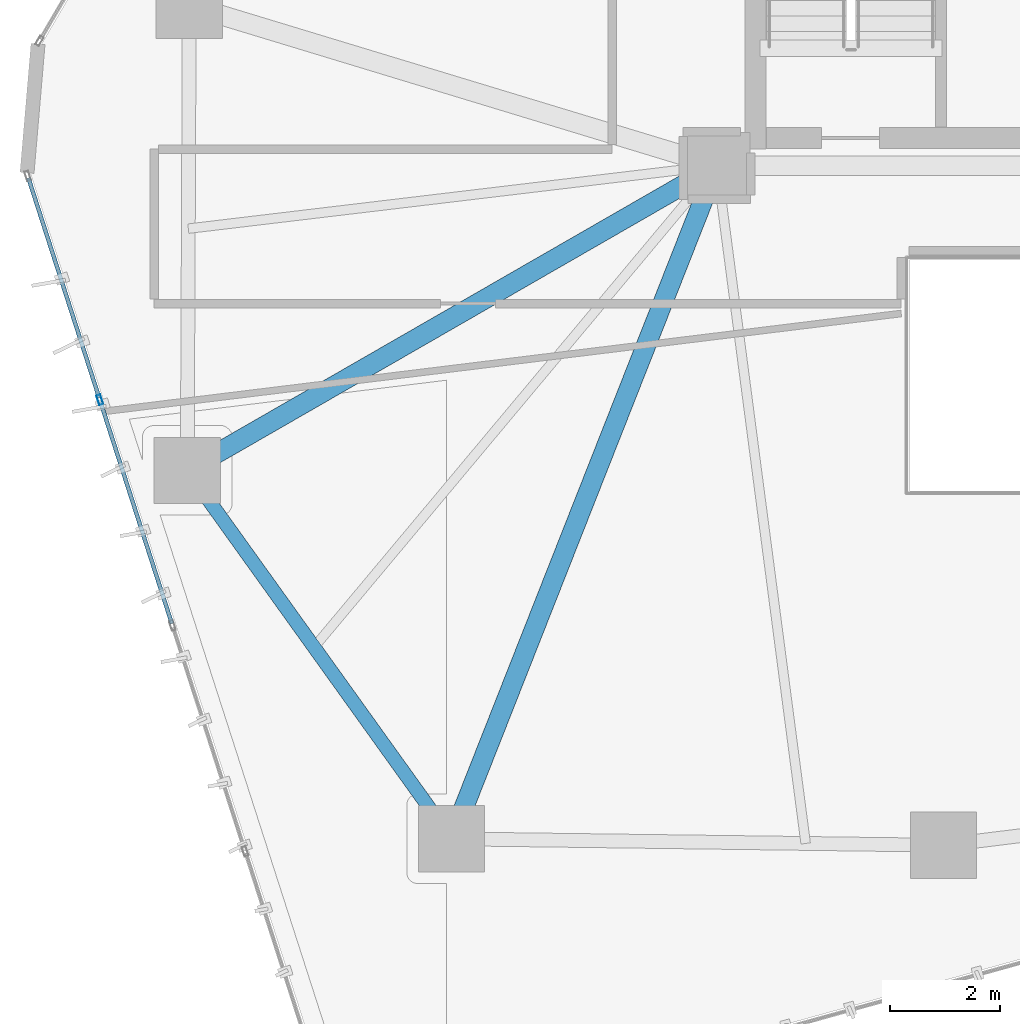
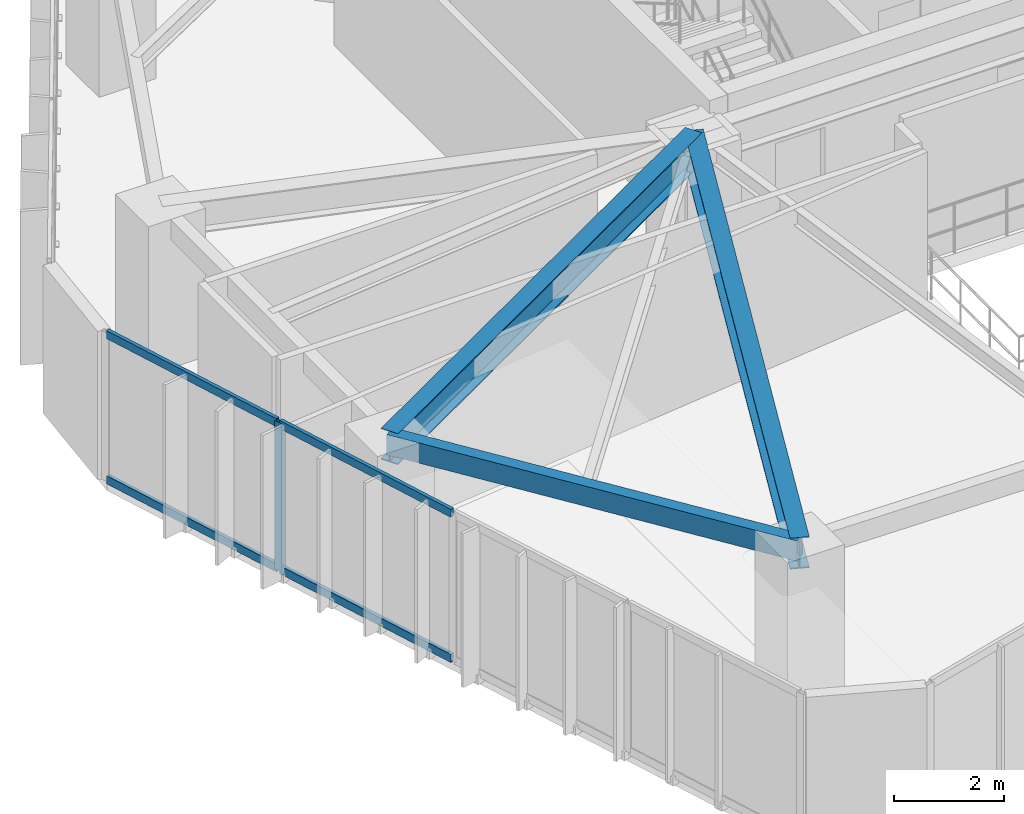
# One storey, part 3 of 20: 5 members, 3 beams, 1 element without a shape of its own.
"""IFC4 building model written with IfcOpenShell, lengths in metres."""

from ifc_helpers import new_model, si_unit, direction, frame, origin, origin_2d, place, context, subcontext, project, spatial, hollow_rectangle, i_section, extrude, source, transform, mapped, material, layer, layer_set, material_profile, profile_set, type_object, type_shapes, element, aggregate, save


model = new_model("IFC4")

# Units and contexts
model_context = context("Model", 3, precision=1e-05, world=origin(), true_north=direction((0.0, 1.0)))
body_context = subcontext(model_context, "Body", "Model", "MODEL_VIEW")
ifc_project = project(units=[si_unit("LENGTHUNIT", "METRE"), si_unit("AREAUNIT", "SQUARE_METRE"), si_unit("VOLUMEUNIT", "CUBIC_METRE"), si_unit("PLANEANGLEUNIT", "RADIAN"), si_unit("MASSUNIT", "GRAM", prefix="KILO")], contexts=[model_context])

# Site, building, storey
site_placement = place(None, origin())
site = spatial("IfcSite", under=ifc_project, at=site_placement, CompositionType="ELEMENT")
building_placement = place(site_placement, origin())
building = spatial("IfcBuilding", under=site, at=building_placement, Name="Talar Marvaseh", CompositionType="ELEMENT")
storey_placement = place(building_placement, frame((0.0, 0.0, 136.199951171875)))
storey = spatial("IfcBuildingStorey", under=building, at=storey_placement, Name="L35", CompositionType="ELEMENT", Elevation=136.199951171875)

# Beams
ifc_material_1 = material(Name="Steel S355", Category="steel")
ifc_material_profile_1 = material_profile(ifc_material_1, hollow_rectangle(XDim=0.25, YDim=0.449951171875, WallThickness=0.01611328125, at=origin_2d()), Name="RHS450x250x16")
ifc_profile_set_1 = profile_set([ifc_material_profile_1], Name="Steel S355")
beam_type_1 = type_object("IfcBeamType", Name="Zone 2 Perimeter Spandrel Beam RHS450x250x16", PredefinedType="SPANDREL", material=ifc_profile_set_1)
beam_1_placement = place(storey_placement, frame((13.89111328125, 13.299072265625, 3.0849609375), z_axis=(-0.582852871994, 0.812577706812, 0.0), x_axis=(-0.812577706812, -0.582852871994, 0.0)))
element("IfcBeam", 1, at=beam_1_placement, inside=storey, type_object=beam_type_1, Name="L35 Zone 2 Perimeter Spandrel Beam RHS450x250x16", PredefinedType="SPANDREL", context=body_context, shape_type="SweptSolid", body=[
    extrude(hollow_rectangle(XDim=0.25, YDim=0.449951171875, WallThickness=0.01611328125, at=origin_2d()), origin(), (0.0, 0.0, 1.0), 8.21826171875),
])
ifc_material_profile_2 = material_profile(ifc_material_1, i_section(OverallWidth=0.35498046875, OverallDepth=0.695068359375, WebThickness=0.015380859375, FlangeThickness=0.02490234375, at=origin_2d()), Name="W690x217")
ifc_profile_set_2 = profile_set([ifc_material_profile_2], Name="Steel S355")
beam_type_2 = type_object("IfcBeamType", Name="Zone 2 Radial Floor Girder W690x217", PredefinedType="BEAM", material=ifc_profile_set_2)
beam_2_placement = place(storey_placement, frame((13.89111328125, 13.299072265625, 2.962646484375), z_axis=(0.366683712786, 0.930345664136, 0.0), x_axis=(-0.930345664136, 0.366683712786, 0.0)))
element("IfcBeam", 2, at=beam_2_placement, inside=storey, type_object=beam_type_2, Name="L35 Zone 2 Radial Floor Girder W690x217", PredefinedType="BEAM", context=body_context, shape_type="SweptSolid", body=[
    extrude(i_section(OverallWidth=0.35498046875, OverallDepth=0.695068359375, WebThickness=0.015380859375, FlangeThickness=0.02490234375, at=origin_2d()), origin(), (0.0, 0.0, 1.0), 13.114501953125),
])
beam_3_placement = place(storey_placement, frame((9.10107421875, 19.97705078125, 2.962646484375), z_axis=(0.866765990926, 0.498715065919, 0.0), x_axis=(-0.498715065919, 0.866765990926, 0.0)))
element("IfcBeam", 3, at=beam_3_placement, inside=storey, type_object=beam_type_2, Name="L35 Zone 2 Radial Floor Girder W690x217", PredefinedType="BEAM", context=body_context, shape_type="SweptSolid", body=[
    extrude(i_section(OverallWidth=0.35498046875, OverallDepth=0.695068359375, WebThickness=0.015380859375, FlangeThickness=0.02490234375, at=origin_2d()), origin(), (0.0, 0.0, 1.0), 11.074462890625),
])

# Curtain wall, members
ifc_material_2 = material(Name="Architectural Aluminium", Category="aluminium")
ifc_layer = layer(ifc_material_2, 0.199951171875)
ifc_layer_set = layer_set([ifc_layer], Name="Architectural Aluminium")
curtain_wall_type = type_object("IfcCurtainWallType", Name="Unitised Acoustic Library Curtain Wall Z2", PredefinedType="NOTDEFINED", material=ifc_layer_set)
curtain_wall_placement = place(storey_placement, origin())
curtain_wall = element("IfcCurtainWall", 4, at=curtain_wall_placement, inside=storey, type_object=curtain_wall_type, Name="L35 Unitised Acoustic Library Curtain Wall Z2", PredefinedType="NOTDEFINED")
ifc_material_profile_3 = material_profile(ifc_material_2, hollow_rectangle(XDim=0.074951171875, YDim=0.179931640625, WallThickness=0.0048828125, at=origin_2d()), Name="RHS180x75x5")
ifc_profile_set_3 = profile_set([ifc_material_profile_3], Name="Architectural Aluminium")
member_type_1 = type_object("IfcMemberType", Name="Unitised Curtain Wall Standard Mullion RHS180x75x5", PredefinedType="MULLION", material=ifc_profile_set_3)
shared_shape_1 = source(origin(), body_context, "Body", "SweptSolid", [
    extrude(hollow_rectangle(XDim=0.074951171875, YDim=0.179931640625, WallThickness=0.0048828125, at=origin_2d()), origin(), (0.0, 0.0, 1.0), 3.31005859375),
])
type_shapes(member_type_1, [shared_shape_1])
member_1_placement = place(storey_placement, frame((7.5166015625, 21.256103515625, 0.0), z_axis=(0.0, 0.0, 1.0), x_axis=(-0.951882475117, -0.306463298887, 0.0)))
member_1 = element("IfcMember", 5, at=member_1_placement, type_object=member_type_1, Name="CW-Z2 mullion 4", PredefinedType="MULLION", context=body_context, shape_type="MappedRepresentation", body=[
    mapped(shared_shape_1, transform((0.0, 0.0, 0.0), x_axis=(1.0, 0.0, 0.0), y_axis=(0.0, 1.0, 0.0), z_axis=(0.0, 0.0, 1.0), scale=1.0)),
])
ifc_material_profile_4 = material_profile(ifc_material_2, hollow_rectangle(XDim=0.074951171875, YDim=0.179931640625, WallThickness=0.0048828125, at=origin_2d()), Name="RHS180x75x5")
ifc_profile_set_4 = profile_set([ifc_material_profile_4], Name="Architectural Aluminium")
member_type_2 = type_object("IfcMemberType", Name="Unitised Curtain Wall Transom RHS180x75x5", PredefinedType="USERDEFINED", material=ifc_profile_set_4)
shared_shape_2 = source(origin(), body_context, "Body", "SweptSolid", [
    extrude(hollow_rectangle(XDim=0.074951171875, YDim=0.179931640625, WallThickness=0.0048828125, at=origin_2d()), origin(), (0.0, 0.0, 1.0), 4.185302734375),
])
member_2_placement = place(storey_placement, frame((7.505126953125, 21.2919921875, 0.03759765625), z_axis=(-0.306481201168, 0.951876711203, 0.0), x_axis=(-0.951876711203, -0.306481201168, 0.0)))
member_2 = element("IfcMember", 6, at=member_2_placement, type_object=member_type_2, Name="CW-Z2 transom 4.1", ObjectType="TRANSOM", PredefinedType="USERDEFINED", context=body_context, shape_type="MappedRepresentation", body=[
    mapped(shared_shape_2, transform((0.0, 0.0, 0.0), x_axis=(1.0, 0.0, 0.0), y_axis=(0.0, 1.0, 0.0), z_axis=(0.0, 0.0, 1.0), scale=1.0)),
])
member_3_placement = place(storey_placement, frame((7.505126953125, 21.2919921875, 3.2724609375), z_axis=(-0.306481201168, 0.951876711203, 0.0), x_axis=(-0.951876711203, -0.306481201168, 0.0)))
member_3 = element("IfcMember", 7, at=member_3_placement, type_object=member_type_2, Name="CW-Z2 transom 4.2", ObjectType="TRANSOM", PredefinedType="USERDEFINED", context=body_context, shape_type="MappedRepresentation", body=[
    mapped(shared_shape_2, transform((0.0, 0.0, 0.0), x_axis=(1.0, 0.0, 0.0), y_axis=(0.0, 1.0, 0.0), z_axis=(0.0, 0.0, 1.0), scale=1.0)),
])
shared_shape_3 = source(origin(), body_context, "Body", "SweptSolid", [
    extrude(hollow_rectangle(XDim=0.074951171875, YDim=0.179931640625, WallThickness=0.0048828125, at=origin_2d()), origin(), (0.0, 0.0, 1.0), 4.222900390625),
])
type_shapes(member_type_2, [shared_shape_2, shared_shape_3])
member_4_placement = place(storey_placement, frame((8.822265625, 17.20068359375, 0.03759765625), z_axis=(-0.306463892361, 0.951882284045, 0.0), x_axis=(-0.951882284045, -0.306463892361, 0.0)))
member_4 = element("IfcMember", 8, at=member_4_placement, type_object=member_type_2, Name="CW-Z2 transom 3.1", ObjectType="TRANSOM", PredefinedType="USERDEFINED", context=body_context, shape_type="MappedRepresentation", body=[
    mapped(shared_shape_3, transform((0.0, 0.0, 0.0), x_axis=(1.0, 0.0, 0.0), y_axis=(0.0, 1.0, 0.0), z_axis=(0.0, 0.0, 1.0), scale=1.0)),
])
member_5_placement = place(storey_placement, frame((8.822265625, 17.20068359375, 3.2724609375), z_axis=(-0.306463892361, 0.951882284045, 0.0), x_axis=(-0.951882284045, -0.306463892361, 0.0)))
member_5 = element("IfcMember", 9, at=member_5_placement, type_object=member_type_2, Name="CW-Z2 transom 3.2", ObjectType="TRANSOM", PredefinedType="USERDEFINED", context=body_context, shape_type="MappedRepresentation", body=[
    mapped(shared_shape_3, transform((0.0, 0.0, 0.0), x_axis=(1.0, 0.0, 0.0), y_axis=(0.0, 1.0, 0.0), z_axis=(0.0, 0.0, 1.0), scale=1.0)),
])
aggregate(curtain_wall, [member_1, member_4, member_5, member_2, member_3])

save(model, "model.ifc")
